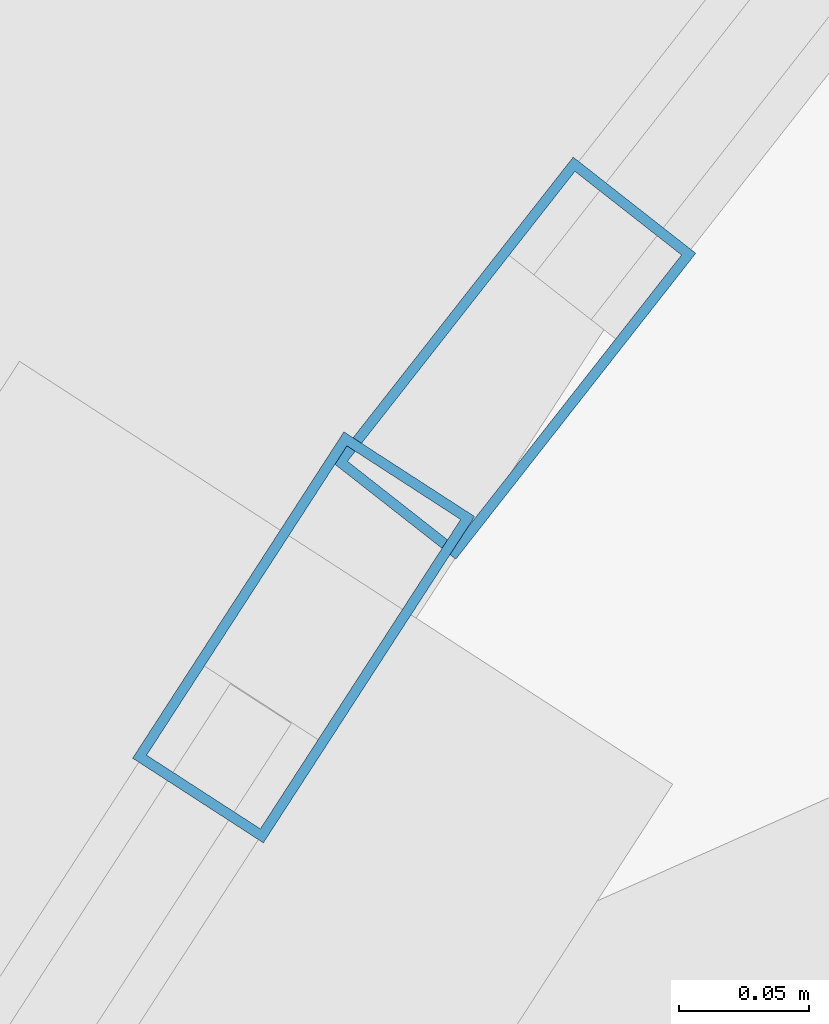
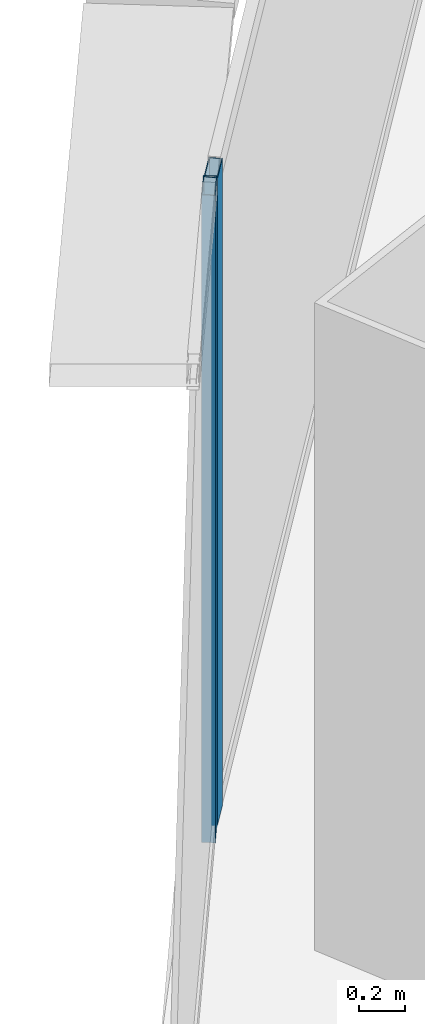
# One storey, part 20 of 42: 2 members, 2 elements without a shape of their own.
"""IFC4 building model written with IfcOpenShell, lengths in metres."""

import ifcopenshell
import ifcopenshell.guid

model = None  # the IFC model being written
_history = None  # IfcOwnerHistory: only IFC2X3 demands one
_inside = {}  # id of a spatial element -> (the spatial element, [elements in it])
_under = {}  # id of a project, library or spatial element -> (it, [spatial elements below it])
_declared = {}  # id of a project -> (the project, [libraries it declares])
_typed = {}  # id of a type object -> (the type object, [elements of that type])
_made_of = {}  # id of a material, layer set ... -> (it, [elements and type objects made of it])


def new_model(schema):
    """Start an empty IFC model of exactly this schema.

    Asked for "IFC4X3", IfcOpenShell would pick the latest addendum, in which some entities
    have other attributes; the version numbers below select the first issue.
    IFC2X3 requires an IfcOwnerHistory on every rooted entity: one is made here for all.
    """
    global model, _history
    if schema == "IFC4X3":
        model = ifcopenshell.file(schema_version=(4, 3, 0, 0))
    else:
        model = ifcopenshell.file(schema=schema)
    _inside.clear()
    _under.clear()
    _declared.clear()
    _typed.clear()
    _made_of.clear()
    _history = None
    if model.schema == "IFC2X3":
        org = make("IfcOrganization", Name="unknown")
        user = make(
            "IfcPersonAndOrganization",
            ThePerson=make("IfcPerson", FamilyName="unknown"),
            TheOrganization=org,
        )
        app = make(
            "IfcApplication",
            ApplicationDeveloper=org,
            Version="unknown",
            ApplicationFullName="unknown",
            ApplicationIdentifier="unknown",
        )
        _history = make(
            "IfcOwnerHistory",
            OwningUser=user,
            OwningApplication=app,
            ChangeAction="ADDED",
            CreationDate=0,
        )
    return model


def make(cls, **values):
    """One entity of the class cls with the attributes given. An attribute that is None is left unset."""
    return model.create_entity(
        cls, **{name: value for name, value in values.items() if value is not None}
    )


def rooted(cls, **values):
    """An entity with a GlobalId (a new one), such as an element, a storey or a relation."""
    return make(cls, GlobalId=ifcopenshell.guid.new(), OwnerHistory=_history, **values)


def si_unit(unit_type, name, prefix=None):
    """IfcSIUnit, for example si_unit("LENGTHUNIT", "METRE", prefix="MILLI")."""
    return make("IfcSIUnit", UnitType=unit_type, Prefix=prefix, Name=name)


def assignment(units):
    """IfcUnitAssignment: the units of a project."""
    return None if units is None else make("IfcUnitAssignment", Units=units)


def point(xyz):
    """IfcCartesianPoint."""
    return None if xyz is None else make("IfcCartesianPoint", Coordinates=xyz)


def direction(xyz):
    """IfcDirection."""
    return None if xyz is None else make("IfcDirection", DirectionRatios=xyz)


def frame(location, z_axis=None, x_axis=None):
    """IfcAxis2Placement3D, a coordinate frame: its origin and axes. An axis left out is left unset."""
    return make(
        "IfcAxis2Placement3D",
        Location=point(location),
        Axis=direction(z_axis),
        RefDirection=direction(x_axis),
    )


def frame_2d(location, x_axis=None):
    """IfcAxis2Placement2D, a coordinate frame in the plane: its origin and x axis."""
    return make(
        "IfcAxis2Placement2D", Location=point(location), RefDirection=direction(x_axis)
    )


def origin():
    """The frame at (0, 0, 0) with its axes left unset."""
    return frame((0.0, 0.0, 0.0))


def origin_2d():
    """The frame at (0, 0) in the plane with its x axis left unset."""
    return frame_2d((0.0, 0.0))


def place(relative_to, where):
    """IfcLocalPlacement: puts the frame where relative to a parent placement (None: the world)."""
    return make(
        "IfcLocalPlacement", PlacementRelTo=relative_to, RelativePlacement=where
    )


def context(
    kind, dimensions, precision=None, world=None, true_north=None, identifier=None
):
    """IfcGeometricRepresentationContext, for example the 3D "Model" context."""
    return make(
        "IfcGeometricRepresentationContext",
        ContextIdentifier=identifier,
        ContextType=kind,
        CoordinateSpaceDimension=dimensions,
        Precision=precision,
        WorldCoordinateSystem=world,
        TrueNorth=true_north,
    )


def subcontext(parent, identifier, kind, view, scale=None):
    """IfcGeometricRepresentationSubContext, for example "Body" below "Model"."""
    return make(
        "IfcGeometricRepresentationSubContext",
        ContextIdentifier=identifier,
        ContextType=kind,
        ParentContext=parent,
        TargetScale=scale,
        TargetView=view,
    )


def project(units=None, contexts=None):
    """IfcProject with its units and contexts."""
    return rooted(
        "IfcProject",
        Name="project",
        RepresentationContexts=contexts,
        UnitsInContext=assignment(units),
    )


def spatial(cls, under=None, at=None, **own):
    """A site, building, storey or space (cls), placed at a placement, below another one or the project."""
    s = rooted(cls, ObjectPlacement=at, **own)
    if under is not None:
        _under.setdefault(under.id(), (under, []))[1].append(s)
    return s


def profile(cls, at=None, kind="AREA", **sizes):
    """A parametric profile (cls). Its sizes go by their IFC names, for example OverallWidth=200.0."""
    return make(cls, ProfileType=kind, Position=at, **sizes)


def hollow_rectangle(**sizes):
    """IfcRectangleHollowProfileDef."""
    return profile("IfcRectangleHollowProfileDef", **sizes)


def extrude(swept, where, along, depth):
    """IfcExtrudedAreaSolid: the profile swept, set in the frame where, extruded along a direction by depth."""
    return make(
        "IfcExtrudedAreaSolid",
        SweptArea=swept,
        Position=where,
        ExtrudedDirection=direction(along),
        Depth=depth,
    )


def shape(context_of_items, identifier, shape_type, items):
    """IfcShapeRepresentation: the items that make up one representation, for example the "Body"."""
    return make(
        "IfcShapeRepresentation",
        ContextOfItems=context_of_items,
        RepresentationIdentifier=identifier,
        RepresentationType=shape_type,
        Items=items,
    )


def source(mapping_origin, context_of_items, identifier, shape_type, items):
    """IfcRepresentationMap: a shape defined once, which mapped items show again and again."""
    return make(
        "IfcRepresentationMap",
        MappingOrigin=mapping_origin,
        MappedRepresentation=shape(context_of_items, identifier, shape_type, items),
    )


def transform(
    local_origin,
    x_axis=None,
    y_axis=None,
    z_axis=None,
    scale=None,
    scale2=None,
    scale3=None,
    uniform=True,
):
    """IfcCartesianTransformationOperator3D, or its non-uniform kind. x_axis, y_axis, z_axis: its Axis1, 2, 3."""
    if uniform:
        return make(
            "IfcCartesianTransformationOperator3D",
            Axis1=direction(x_axis),
            Axis2=direction(y_axis),
            LocalOrigin=point(local_origin),
            Scale=scale,
            Axis3=direction(z_axis),
        )
    return make(
        "IfcCartesianTransformationOperator3DnonUniform",
        Axis1=direction(x_axis),
        Axis2=direction(y_axis),
        LocalOrigin=point(local_origin),
        Scale=scale,
        Axis3=direction(z_axis),
        Scale2=scale2,
        Scale3=scale3,
    )


def mapped(mapping_source, mapping_target):
    """IfcMappedItem: shows the shape of a source again, moved by a transform."""
    return make(
        "IfcMappedItem", MappingSource=mapping_source, MappingTarget=mapping_target
    )


def material(Name=None, Category=None):
    """IfcMaterial."""
    return make("IfcMaterial", Name=Name, Category=Category)


def layer(
    of_material, thickness, ventilated=None, Name=None, Category=None, Priority=None
):
    """IfcMaterialLayer: one layer of a wall or slab, of a material (None: an air gap)."""
    return make(
        "IfcMaterialLayer",
        Material=of_material,
        LayerThickness=thickness,
        IsVentilated=ventilated,
        Name=Name,
        Category=Category,
        Priority=Priority,
    )


def layer_set(layers, Name=None):
    """IfcMaterialLayerSet."""
    return make("IfcMaterialLayerSet", MaterialLayers=layers, LayerSetName=Name)


def material_profile(
    of_material, cross_section, Name=None, Category=None, Priority=None
):
    """IfcMaterialProfile: a cross section and its material."""
    return make(
        "IfcMaterialProfile",
        Name=Name,
        Material=of_material,
        Profile=cross_section,
        Priority=Priority,
        Category=Category,
    )


def profile_set(profiles, Name=None, composite=None):
    """IfcMaterialProfileSet."""
    return make(
        "IfcMaterialProfileSet",
        Name=Name,
        MaterialProfiles=profiles,
        CompositeProfile=composite,
    )


def made_of(thing, what):
    """Note that an element or type object is made of a material, layer set ...; save() writes the relation."""
    if what is not None:
        _made_of.setdefault(what.id(), (what, []))[1].append(thing)
    return thing


def type_object(cls, material=None, **own):
    """A type object (cls), such as IfcWallType, which elements share."""
    return made_of(rooted(cls, **own), material)


def element(
    cls,
    number,
    at=None,
    inside=None,
    cuts=None,
    type_object=None,
    material=None,
    context=None,
    identifier="Body",
    shape_type=None,
    held_by="IfcProductDefinitionShape",
    body=None,
    shapes=None,
    **own,
):
    """One element of the class cls, such as IfcWall. Its Tag is "e" and its number.

    at: its placement. inside: the storey or other place that contains it. cuts: it is an
    opening in that element (IfcRelVoidsElement). A single representation is given by context,
    identifier, shape_type and body (its items); several are given by shapes. held_by: the class
    of the entity that holds the representations. save() writes the other relations.
    """
    e = rooted(cls, Tag="e%d" % number, ObjectPlacement=at, **own)
    if body is not None:
        shapes = [shape(context, identifier, shape_type, body)]
    if shapes is not None:
        e.Representation = make(held_by, Representations=shapes)
    if inside is not None:
        _inside.setdefault(inside.id(), (inside, []))[1].append(e)
    if cuts is not None:
        rooted(
            "IfcRelVoidsElement", RelatingBuildingElement=cuts, RelatedOpeningElement=e
        )
    if type_object is not None:
        _typed.setdefault(type_object.id(), (type_object, []))[1].append(e)
    return made_of(e, material)


def aggregate(whole, parts):
    """IfcRelAggregates: a whole, such as a stair, and the parts it consists of."""
    return rooted("IfcRelAggregates", RelatingObject=whole, RelatedObjects=parts)


def save(model, path):
    """Write the relations noted so far, then the file.

    IfcRelAggregates (storeys below a building ...), IfcRelContainedInSpatialStructure (elements
    in a storey), IfcRelDefinesByType, IfcRelAssociatesMaterial and IfcRelDeclares: one each for
    every whole, place, type object, material and project.
    """
    for whole, parts in _under.values():
        aggregate(whole, parts)
    for where, things in _inside.values():
        rooted(
            "IfcRelContainedInSpatialStructure",
            RelatedElements=things,
            RelatingStructure=where,
        )
    for kind, things in _typed.values():
        rooted("IfcRelDefinesByType", RelatedObjects=things, RelatingType=kind)
    for what, things in _made_of.values():
        rooted("IfcRelAssociatesMaterial", RelatedObjects=things, RelatingMaterial=what)
    for by, libraries in _declared.values():
        rooted("IfcRelDeclares", RelatingContext=by, RelatedDefinitions=libraries)
    model.write(path)


model = new_model("IFC4")

# Units and contexts
model_context = context("Model", 3, precision=1e-05, world=origin(), true_north=direction((0.0, 1.0)))
body_context = subcontext(model_context, "Body", "Model", "MODEL_VIEW")
ifc_project = project(units=[si_unit("LENGTHUNIT", "METRE"), si_unit("AREAUNIT", "SQUARE_METRE"), si_unit("VOLUMEUNIT", "CUBIC_METRE"), si_unit("PLANEANGLEUNIT", "RADIAN"), si_unit("MASSUNIT", "GRAM", prefix="KILO"), si_unit("THERMODYNAMICTEMPERATUREUNIT", "KELVIN"), si_unit("POWERUNIT", "WATT")], contexts=[model_context])

# Site, building, storey
site_placement = place(None, origin())
site = spatial("IfcSite", under=ifc_project, at=site_placement, CompositionType="ELEMENT")
building_placement = place(site_placement, origin())
building = spatial("IfcBuilding", under=site, at=building_placement, Name="Yunzhuo Pagoda Commons", CompositionType="ELEMENT")
storey_placement = place(building_placement, frame((0.0, 0.0, 151.909912109375)))
storey = spatial("IfcBuildingStorey", under=building, at=storey_placement, Name="L38", CompositionType="ELEMENT", Elevation=151.909912109375)

# Curtain wall, member
ifc_material = material(Name="Anodized aluminium 6063-T6", Category="aluminium")
ifc_layer = layer(ifc_material, 0.14990234375)
ifc_layer_set = layer_set([ifc_layer], Name="Anodized aluminium 6063-T6")
curtain_wall_type = type_object("IfcCurtainWallType", Name="CW-MID Mid-Zone Ribbon Curtain Wall", PredefinedType="NOTDEFINED", material=ifc_layer_set)
curtain_wall_1_placement = place(storey_placement, origin())
curtain_wall_1 = element("IfcCurtainWall", 1, at=curtain_wall_1_placement, inside=storey, type_object=curtain_wall_type, Name="L38 curtain wall CW-L38-F3B2", PredefinedType="NOTDEFINED")
ifc_material_profile = material_profile(ifc_material, hollow_rectangle(XDim=0.06005859375, YDim=0.14990234375, WallThickness=0.00390625, at=origin_2d()), Name="Anodized aluminium 6063-T6")
ifc_profile_set = profile_set([ifc_material_profile], Name="Anodized aluminium 6063-T6")
member_type = type_object("IfcMemberType", Name="CW-MID-M Mullion RHS 150x60x4", PredefinedType="MULLION", material=ifc_profile_set)
shared_shape = source(origin(), body_context, "Body", "SweptSolid", [
    extrude(hollow_rectangle(XDim=0.06005859375, YDim=0.14990234375, WallThickness=0.00390625, at=origin_2d()), origin(), (0.0, 0.0, 1.0), 3.420166015625),
])
member_1_placement = place(storey_placement, frame((32.0166015625, 69.53759765625, 0.0), z_axis=(0.0, 0.0, 1.0), x_axis=(0.839392571637, -0.543525630197, 0.0)))
member_1 = element("IfcMember", 2, at=member_1_placement, type_object=member_type, Name="CW mullion 1", PredefinedType="MULLION", context=body_context, shape_type="MappedRepresentation", body=[
    mapped(shared_shape, transform((0.0, 0.0, 0.0), scale=1.0)),
])
aggregate(curtain_wall_1, [member_1])

curtain_wall_2_placement = place(storey_placement, origin())
curtain_wall_2 = element("IfcCurtainWall", 3, at=curtain_wall_2_placement, inside=storey, type_object=curtain_wall_type, Name="L38 curtain wall CW-L38-F3B1", PredefinedType="NOTDEFINED")
member_2_placement = place(storey_placement, frame((32.097900390625, 69.645263671875, 0.0), z_axis=(0.0, 0.0, 1.0), x_axis=(0.786759259697, -0.61725996734, 0.0)))
member_2 = element("IfcMember", 4, at=member_2_placement, type_object=member_type, Name="CW mullion 2", PredefinedType="MULLION", context=body_context, shape_type="MappedRepresentation", body=[
    mapped(shared_shape, transform((0.0, 0.0, 0.0), scale=1.0)),
])
aggregate(curtain_wall_2, [member_2])

save(model, "model.ifc")
